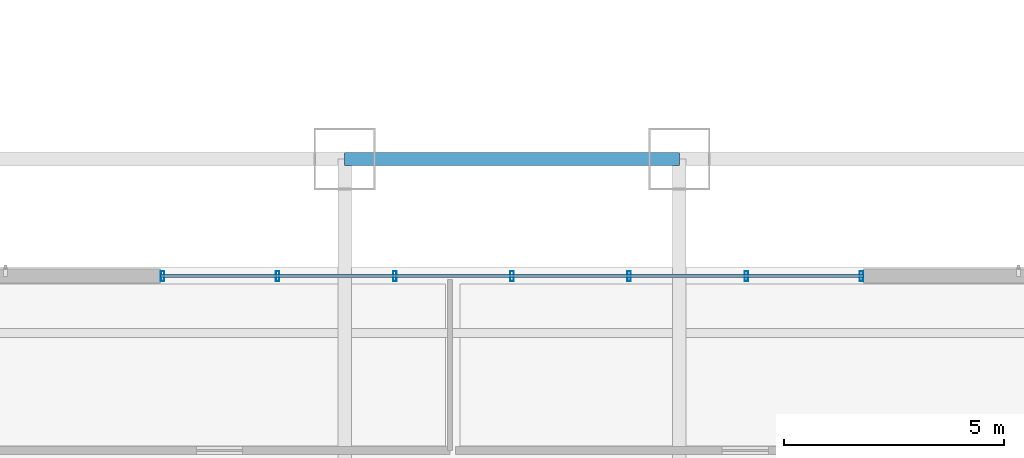
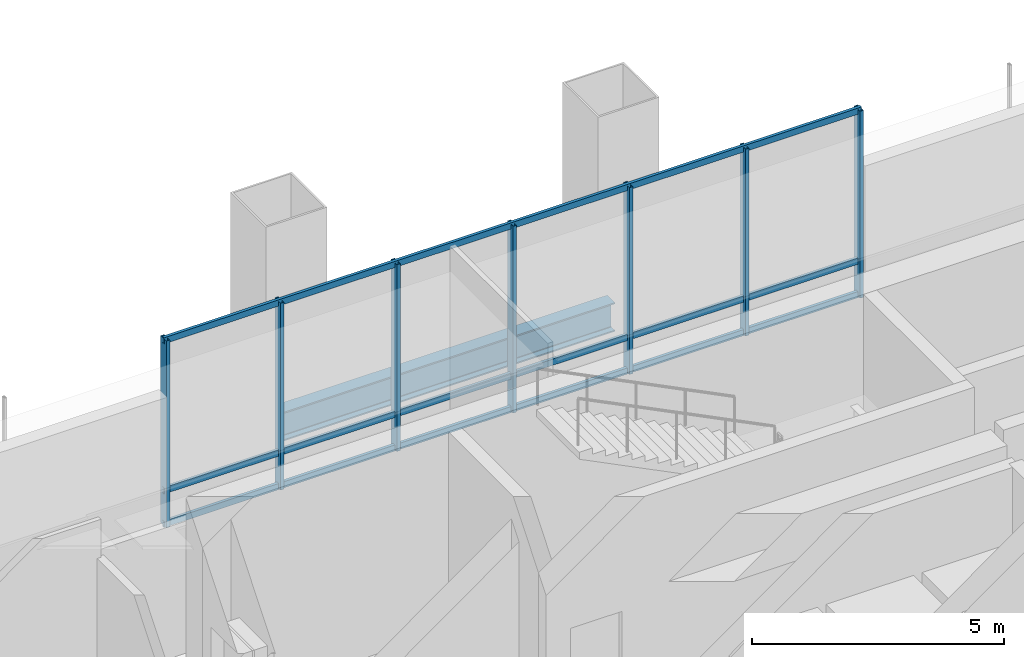
# One storey, part 14 of 30: 10 members, 1 beam, 1 element without a shape of its own.
"""IFC4 building model written with IfcOpenShell, lengths in metres."""

from ifc_helpers import new_model, si_unit, direction, frame, origin, origin_2d, place, context, subcontext, project, spatial, hollow_rectangle, i_section, extrude, material, material_profile, profile_set, type_object, element, aggregate, save


model = new_model("IFC4")

# Units and contexts
model_context = context("Model", 3, precision=1e-05, world=origin(), true_north=direction((0.0, 1.0)))
body_context = subcontext(model_context, "Body", "Model", "MODEL_VIEW")
ifc_project = project(units=[si_unit("LENGTHUNIT", "METRE"), si_unit("AREAUNIT", "SQUARE_METRE"), si_unit("VOLUMEUNIT", "CUBIC_METRE"), si_unit("PLANEANGLEUNIT", "RADIAN"), si_unit("MASSUNIT", "GRAM", prefix="KILO")], contexts=[model_context])

# Site, building, storey
site_placement = place(None, origin())
site = spatial("IfcSite", under=ifc_project, at=site_placement, CompositionType="ELEMENT")
building_placement = place(site_placement, origin())
building = spatial("IfcBuilding", under=site, at=building_placement, Name="Punatoya Terracotta Tower", CompositionType="ELEMENT")
storey_placement = place(building_placement, frame((0.0, 0.0, 135.0)))
storey = spatial("IfcBuildingStorey", under=building, at=storey_placement, Name="L31", CompositionType="ELEMENT", Elevation=135.0)

# Beam
ifc_material_1 = material(Name="Steel S355", Category="steel")
ifc_material_profile_1 = material_profile(ifc_material_1, i_section(OverallWidth=0.300048828125, OverallDepth=0.699951171875, WebThickness=0.01708984375, FlangeThickness=0.031982421875, FilletRadius=0.01806640625, at=origin_2d()))
ifc_profile_set_1 = profile_set([ifc_material_profile_1], Name="Steel S355")
beam_type = type_object("IfcBeamType", Name="BM-PRI-700", PredefinedType="BEAM", material=ifc_profile_set_1)
beam_placement = place(storey_placement, frame((-3.800048828125, 17.5, -0.610107421875), z_axis=(1.0, 0.0, 0.0), x_axis=(0.0, 1.0, 0.0)))
element("IfcBeam", 1, at=beam_placement, inside=storey, type_object=beam_type, Name="BM-L31-RG-N2", PredefinedType="BEAM", context=body_context, shape_type="SweptSolid", body=[
    extrude(i_section(OverallWidth=0.300048828125, OverallDepth=0.699951171875, WebThickness=0.01708984375, FlangeThickness=0.031982421875, FilletRadius=0.01806640625, at=origin_2d()), origin(), (0.0, 0.0, 1.0), 7.60009765625),
])

# Curtain wall, members
ifc_material_2 = material(Name="Aluminium 6063-T6 + Double Low-E Glass", Category="aluminium")
curtain_wall_type = type_object("IfcCurtainWallType", Name="CW-NCK", PredefinedType="NOTDEFINED", material=ifc_material_2)
curtain_wall_placement = place(storey_placement, origin())
curtain_wall = element("IfcCurtainWall", 2, at=curtain_wall_placement, inside=storey, type_object=curtain_wall_type, Name="L31 Curtain Wall CW-L31-N09-1", PredefinedType="NOTDEFINED")
ifc_material_3 = material(Name="Aluminium 6063-T6", Category="aluminium")
ifc_material_profile_2 = material_profile(ifc_material_3, hollow_rectangle(XDim=0.080078125, YDim=0.22509765625, WallThickness=0.0048828125, at=origin_2d()))
ifc_profile_set_2 = profile_set([ifc_material_profile_2], Name="Aluminium 6063-T6")
member_type_1 = type_object("IfcMemberType", Name="CW-MUL-NCK", PredefinedType="MULLION", material=ifc_profile_set_2)
member_1_placement = place(storey_placement, frame((7.93505859375, 14.840087890625, 0.0), z_axis=(0.0, 0.0, 1.0), x_axis=(1.0, 0.0, 0.0)))
member_1 = element("IfcMember", 3, at=member_1_placement, type_object=member_type_1, Name="CW-L31-N09-1 Mullion 00", PredefinedType="MULLION", context=body_context, shape_type="SweptSolid", body=[
    extrude(hollow_rectangle(XDim=0.080078125, YDim=0.22509765625, WallThickness=0.0048828125, at=origin_2d()), origin(), (0.0, 0.0, 1.0), 4.52001953125),
])
member_2_placement = place(storey_placement, frame((5.320068359375, 14.840087890625, 0.0), z_axis=(0.0, 0.0, 1.0), x_axis=(1.0, 0.0, 0.0)))
member_2 = element("IfcMember", 4, at=member_2_placement, type_object=member_type_1, Name="CW-L31-N09-1 Mullion 01", PredefinedType="MULLION", context=body_context, shape_type="SweptSolid", body=[
    extrude(hollow_rectangle(XDim=0.080078125, YDim=0.22509765625, WallThickness=0.0048828125, at=origin_2d()), origin(), (0.0, 0.0, 1.0), 4.52001953125),
])
member_3_placement = place(storey_placement, frame((2.659912109375, 14.840087890625, 0.0), z_axis=(0.0, 0.0, 1.0), x_axis=(1.0, 0.0, 0.0)))
member_3 = element("IfcMember", 5, at=member_3_placement, type_object=member_type_1, Name="CW-L31-N09-1 Mullion 02", PredefinedType="MULLION", context=body_context, shape_type="SweptSolid", body=[
    extrude(hollow_rectangle(XDim=0.080078125, YDim=0.22509765625, WallThickness=0.0048828125, at=origin_2d()), origin(), (0.0, 0.0, 1.0), 4.52001953125),
])
member_4_placement = place(storey_placement, frame((0.0, 14.840087890625, 0.0), z_axis=(0.0, 0.0, 1.0), x_axis=(1.0, 0.0, 0.0)))
member_4 = element("IfcMember", 6, at=member_4_placement, type_object=member_type_1, Name="CW-L31-N09-1 Mullion 03", PredefinedType="MULLION", context=body_context, shape_type="SweptSolid", body=[
    extrude(hollow_rectangle(XDim=0.080078125, YDim=0.22509765625, WallThickness=0.0048828125, at=origin_2d()), origin(), (0.0, 0.0, 1.0), 4.52001953125),
])
member_5_placement = place(storey_placement, frame((-2.659912109375, 14.840087890625, 0.0), z_axis=(0.0, 0.0, 1.0), x_axis=(1.0, 0.0, 0.0)))
member_5 = element("IfcMember", 7, at=member_5_placement, type_object=member_type_1, Name="CW-L31-N09-1 Mullion 04", PredefinedType="MULLION", context=body_context, shape_type="SweptSolid", body=[
    extrude(hollow_rectangle(XDim=0.080078125, YDim=0.22509765625, WallThickness=0.0048828125, at=origin_2d()), origin(), (0.0, 0.0, 1.0), 4.52001953125),
])
member_6_placement = place(storey_placement, frame((-5.320068359375, 14.840087890625, 0.0), z_axis=(0.0, 0.0, 1.0), x_axis=(1.0, 0.0, 0.0)))
member_6 = element("IfcMember", 8, at=member_6_placement, type_object=member_type_1, Name="CW-L31-N09-1 Mullion 05", PredefinedType="MULLION", context=body_context, shape_type="SweptSolid", body=[
    extrude(hollow_rectangle(XDim=0.080078125, YDim=0.22509765625, WallThickness=0.0048828125, at=origin_2d()), origin(), (0.0, 0.0, 1.0), 4.52001953125),
])
member_7_placement = place(storey_placement, frame((-7.93505859375, 14.840087890625, 0.0), z_axis=(0.0, 0.0, 1.0), x_axis=(1.0, 0.0, 0.0)))
member_7 = element("IfcMember", 9, at=member_7_placement, type_object=member_type_1, Name="CW-L31-N09-1 Mullion 06", PredefinedType="MULLION", context=body_context, shape_type="SweptSolid", body=[
    extrude(hollow_rectangle(XDim=0.080078125, YDim=0.22509765625, WallThickness=0.0048828125, at=origin_2d()), origin(), (0.0, 0.0, 1.0), 4.52001953125),
])
ifc_material_profile_3 = material_profile(ifc_material_3, hollow_rectangle(XDim=0.068115234375, YDim=0.14990234375, WallThickness=0.00390625, at=origin_2d()))
ifc_profile_set_3 = profile_set([ifc_material_profile_3], Name="Aluminium 6063-T6")
member_type_2 = type_object("IfcMemberType", Name="CW-TRN-TYP", PredefinedType="USERDEFINED", material=ifc_profile_set_3)
member_8_placement = place(storey_placement, frame((7.97998046875, 14.840087890625, 0.0400390625), z_axis=(-1.0, 0.0, 0.0), x_axis=(0.0, -1.0, 0.0)))
member_8 = element("IfcMember", 10, at=member_8_placement, type_object=member_type_2, Name="CW-L31-N09-1 Transom 1", ObjectType="TRANSOM", PredefinedType="USERDEFINED", context=body_context, shape_type="SweptSolid", body=[
    extrude(hollow_rectangle(XDim=0.068115234375, YDim=0.14990234375, WallThickness=0.00390625, at=origin_2d()), origin(), (0.0, 0.0, 1.0), 15.9599609375),
])
member_9_placement = place(storey_placement, frame((7.97998046875, 14.840087890625, 0.85009765625), z_axis=(-1.0, 0.0, 0.0), x_axis=(0.0, -1.0, 0.0)))
member_9 = element("IfcMember", 11, at=member_9_placement, type_object=member_type_2, Name="CW-L31-N09-1 Transom 2", ObjectType="TRANSOM", PredefinedType="USERDEFINED", context=body_context, shape_type="SweptSolid", body=[
    extrude(hollow_rectangle(XDim=0.068115234375, YDim=0.14990234375, WallThickness=0.00390625, at=origin_2d()), origin(), (0.0, 0.0, 1.0), 15.9599609375),
])
member_10_placement = place(storey_placement, frame((7.97998046875, 14.840087890625, 4.47998046875), z_axis=(-1.0, 0.0, 0.0), x_axis=(0.0, -1.0, 0.0)))
member_10 = element("IfcMember", 12, at=member_10_placement, type_object=member_type_2, Name="CW-L31-N09-1 Transom 3", ObjectType="TRANSOM", PredefinedType="USERDEFINED", context=body_context, shape_type="SweptSolid", body=[
    extrude(hollow_rectangle(XDim=0.068115234375, YDim=0.14990234375, WallThickness=0.00390625, at=origin_2d()), origin(), (0.0, 0.0, 1.0), 15.9599609375),
])
aggregate(curtain_wall, [member_1, member_2, member_3, member_4, member_5, member_6, member_7, member_8, member_9, member_10])

save(model, "model.ifc")
